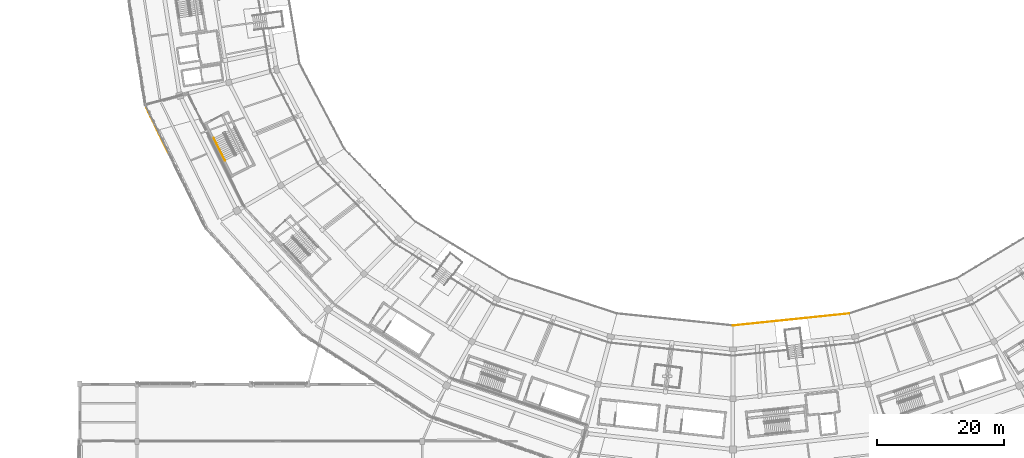
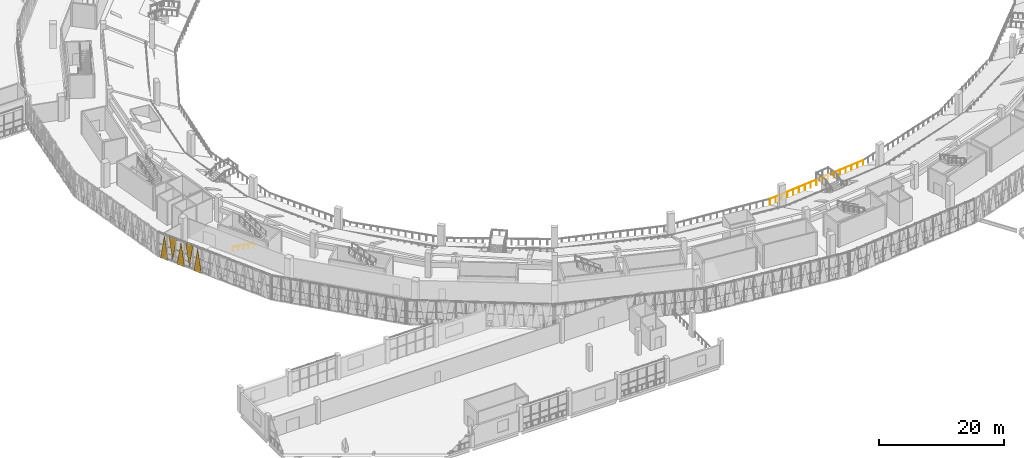
# One storey, part 120 of 152: 5 coverings, 2 railings.
"""IFC4 building model written with IfcOpenShell, lengths in metres."""

from ifc_helpers import new_model, si_unit, direction, frame, origin, origin_2d, place, context, subcontext, project, spatial, polyline, circle, outline, extrude, material, layer, layer_set, type_object, element, save


model = new_model("IFC4")

# Units and contexts
model_context = context("Model", 3, precision=1e-05, world=origin(), true_north=direction((0.0, 1.0)))
body_context = subcontext(model_context, "Body", "Model", "MODEL_VIEW")
ifc_project = project(units=[si_unit("LENGTHUNIT", "METRE"), si_unit("AREAUNIT", "SQUARE_METRE"), si_unit("VOLUMEUNIT", "CUBIC_METRE"), si_unit("PLANEANGLEUNIT", "RADIAN"), si_unit("MASSUNIT", "GRAM", prefix="KILO")], contexts=[model_context])

# Site, building, storey
site_placement = place(None, origin())
site = spatial("IfcSite", under=ifc_project, at=site_placement, CompositionType="ELEMENT")
building_placement = place(site_placement, origin())
building = spatial("IfcBuilding", under=site, at=building_placement, Name="Zevraka Park Crest Stadium", CompositionType="ELEMENT")
storey_placement = place(building_placement, frame((0.0, 0.0, 15.0)))
storey = spatial("IfcBuildingStorey", under=building, at=storey_placement, Name="L03", CompositionType="ELEMENT", Elevation=15.0)

# Coverings
ifc_material_1 = material(Name="Architectural golden-bronze perforated aluminium", Category="aluminium")
ifc_layer = layer(ifc_material_1, 0.034912109375)
ifc_layer_set = layer_set([ifc_layer], Name="Architectural golden-bronze perforated aluminium")
covering_type = type_object("IfcCoveringType", Name="CLD01", PredefinedType="CLADDING", material=ifc_layer_set)
covering_1_placement = place(storey_placement, frame((19.5048828125, 70.56005859375, -0.260009765625), z_axis=(-0.897814621481, -0.440373593747, 5.81766e-05), x_axis=(0.440373594493, -0.897814623001, 0.0)))
element("IfcCovering", 1, at=covering_1_placement, inside=storey, type_object=covering_type, Name="Triangular Golden-Bronze Perforated Cladding L03-13-1", PredefinedType="CLADDING", context=body_context, shape_type="SweptSolid", body=[
    extrude(outline(polyline([(0.0, 0.0), (1.4447516306762154, 6.776263578034403e-21), (0.721827832780124, 4.620117195318432), (0.0, 0.0)])), origin(), (0.0, 0.0, -1.0), 0.034912109375),
])
covering_2_placement = place(storey_placement, frame((20.84912109375, 67.822998046875, 4.52001953125), z_axis=(-0.897547277, -0.440918199317, 0.000164502927), x_axis=(-0.440918205283, 0.897547289144, 0.0)))
element("IfcCovering", 2, at=covering_2_placement, inside=storey, type_object=covering_type, Name="Triangular Golden-Bronze Perforated Cladding L03-13-2", PredefinedType="CLADDING", context=body_context, shape_type="SweptSolid", body=[
    extrude(outline(polyline([(0.0, 0.0), (1.4451819489774211, 1.3552527156068805e-20), (0.7222584471907869, 4.300048886307271), (0.0, 0.0)])), origin(), (0.0, 0.0, -1.0), 0.034912109375),
])
covering_3_placement = place(storey_placement, frame((20.9189453125, 67.678955078125, -0.260009765625), z_axis=(0.897581300488, 0.440848948226, 0.000117737785), x_axis=(0.440848951281, -0.89758130671, 0.0)))
element("IfcCovering", 3, at=covering_3_placement, inside=storey, type_object=covering_type, Name="Triangular Golden-Bronze Perforated Cladding L03-13-3", PredefinedType="CLADDING", context=body_context, shape_type="SweptSolid", body=[
    extrude(outline(polyline([(0.0, 0.0), (1.4448551794759072, 0.0), (0.7227044181526259, -4.620117219522464), (0.0, 0.0)])), origin(), (0.0, 0.0, -1.0), 0.034912109375),
])
covering_4_placement = place(storey_placement, frame((22.262939453125, 64.94091796875, 4.52001953125), z_axis=(0.897614122454, 0.440782090247, 0.000189972778), x_axis=(-0.440782098201, 0.897614138651, 0.0)))
element("IfcCovering", 4, at=covering_4_placement, inside=storey, type_object=covering_type, Name="Triangular Golden-Bronze Perforated Cladding L03-13-4", PredefinedType="CLADDING", context=body_context, shape_type="SweptSolid", body=[
    extrude(outline(polyline([(0.0, 0.0), (1.4450743195452247, 1.3552527156068805e-20), (0.7228159879223013, -4.300048905718644), (0.0, 0.0)])), origin(), (0.0, 0.0, -1.0), 0.034912109375),
])
covering_5_placement = place(storey_placement, frame((22.333984375, 64.798095703125, -0.260009765625), z_axis=(0.897881429156, 0.440237365509, 3.4435251e-05), x_axis=(0.44023736577, -0.897881429689, 0.0)))
element("IfcCovering", 5, at=covering_5_placement, inside=storey, type_object=covering_type, Name="Triangular Golden-Bronze Perforated Cladding L03-13-5", PredefinedType="CLADDING", context=body_context, shape_type="SweptSolid", body=[
    extrude(outline(polyline([(0.0, 0.0), (1.4446441342204863, 0.0), (0.722923830356607, -4.620117190239236), (0.0, 0.0)])), origin(), (0.0, 0.0, -1.0), 0.034912109375),
])

# Railings
ifc_material_2 = material(Name="Laminated glass and stainless steel sightline bowl guard", Category="steel")
railing_type_1 = type_object("IfcRailingType", Name="GR02", PredefinedType="GUARDRAIL", material=ifc_material_2)
railing_1_placement = place(storey_placement, frame((112.0, 36.25, -1.5)))
element("IfcRailing", 6, at=railing_1_placement, inside=storey, type_object=railing_type_1, Name="Upper Tier Cantilever Sightline Guard GR02 18", PredefinedType="GUARDRAIL", context=body_context, shape_type="SweptSolid", body=[
    extrude(circle(Radius=0.02392578125, at=origin_2d()), frame((0.0, 0.0, 1.09619140625), z_axis=(0.994660293525, 0.103203199971, 0.0), x_axis=(-0.103203199971, 0.994660293525, 0.0)), (0.0, 0.0, 1.0), 18.409423828125),
    extrude(circle(Radius=0.02099609375, at=origin_2d()), origin(), (0.0, 0.0, 1.0), 1.072021484375),
    extrude(circle(Radius=0.02099609375, at=origin_2d()), frame((1.14453125, 0.11865234375, 0.0)), (0.0, 0.0, 1.0), 1.072021484375),
    extrude(circle(Radius=0.02099609375, at=origin_2d()), frame((2.288818359375, 0.237548828125, 0.0)), (0.0, 0.0, 1.0), 1.072021484375),
    extrude(circle(Radius=0.02099609375, at=origin_2d()), frame((3.433349609375, 0.356201171875, 0.0)), (0.0, 0.0, 1.0), 1.072021484375),
    extrude(circle(Radius=0.02099609375, at=origin_2d()), frame((4.57763671875, 0.47509765625, 0.0)), (0.0, 0.0, 1.0), 1.072021484375),
    extrude(circle(Radius=0.02099609375, at=origin_2d()), frame((5.72216796875, 0.59375, 0.0)), (0.0, 0.0, 1.0), 1.072021484375),
    extrude(circle(Radius=0.02099609375, at=origin_2d()), frame((6.86669921875, 0.71240234375, 0.0)), (0.0, 0.0, 1.0), 1.072021484375),
    extrude(circle(Radius=0.02099609375, at=origin_2d()), frame((8.010986328125, 0.831298828125, 0.0)), (0.0, 0.0, 1.0), 1.072021484375),
    extrude(circle(Radius=0.02099609375, at=origin_2d()), frame((9.155517578125, 0.949951171875, 0.0)), (0.0, 0.0, 1.0), 1.072021484375),
    extrude(circle(Radius=0.02099609375, at=origin_2d()), frame((10.300048828125, 1.068603515625, 0.0)), (0.0, 0.0, 1.0), 1.072021484375),
    extrude(circle(Radius=0.02099609375, at=origin_2d()), frame((11.4443359375, 1.1875, 0.0)), (0.0, 0.0, 1.0), 1.072021484375),
    extrude(circle(Radius=0.02099609375, at=origin_2d()), frame((12.5888671875, 1.30615234375, 0.0)), (0.0, 0.0, 1.0), 1.072021484375),
    extrude(circle(Radius=0.02099609375, at=origin_2d()), frame((13.7333984375, 1.4248046875, 0.0)), (0.0, 0.0, 1.0), 1.072021484375),
    extrude(circle(Radius=0.02099609375, at=origin_2d()), frame((14.877685546875, 1.543701171875, 0.0)), (0.0, 0.0, 1.0), 1.072021484375),
    extrude(circle(Radius=0.02099609375, at=origin_2d()), frame((16.022216796875, 1.662353515625, 0.0)), (0.0, 0.0, 1.0), 1.072021484375),
    extrude(circle(Radius=0.02099609375, at=origin_2d()), frame((17.16650390625, 1.78125, 0.0)), (0.0, 0.0, 1.0), 1.072021484375),
    extrude(circle(Radius=0.02099609375, at=origin_2d()), frame((18.31103515625, 1.89990234375, 0.0)), (0.0, 0.0, 1.0), 1.072021484375),
])
ifc_material_3 = material(Name="Brushed stainless steel continuous handrail", Category="steel")
railing_type_2 = type_object("IfcRailingType", Name="HR01", PredefinedType="HANDRAIL", material=ifc_material_3)
railing_2_placement = place(storey_placement, frame((30.133544921875, 65.8251953125, 0.17138671875)))
element("IfcRailing", 7, at=railing_2_placement, inside=storey, type_object=railing_type_2, Name="L03 ST14 stair handrail 1", PredefinedType="HANDRAIL", context=body_context, shape_type="SweptSolid", body=[
    extrude(circle(Radius=0.02392578125, at=origin_2d()), frame((0.0, 0.0, 0.8759765625), z_axis=(0.39045397791, -0.779404971028, 0.489973042393), x_axis=(0.894082100069, 0.447903112666, 0.0)), (0.0, 0.0, 1.0), 4.54833984375),
    extrude(circle(Radius=0.02099609375, at=origin_2d()), origin(), (0.0, 0.0, 1.0), 0.851806640625),
    extrude(circle(Radius=0.02099609375, at=origin_2d()), frame((0.44384765625, -0.88623046875, 0.55712890625)), (0.0, 0.0, 1.0), 0.851806640625),
    extrude(circle(Radius=0.02099609375, at=origin_2d()), frame((0.887939453125, -1.7724609375, 1.1142578125)), (0.0, 0.0, 1.0), 0.851806640625),
    extrude(circle(Radius=0.02099609375, at=origin_2d()), frame((1.33203125, -2.65869140625, 1.67138671875)), (0.0, 0.0, 1.0), 0.851806640625),
    extrude(circle(Radius=0.02099609375, at=origin_2d()), frame((1.77587890625, -3.544921875, 2.228515625)), (0.0, 0.0, 1.0), 0.851806640625),
])

save(model, "model.ifc")
